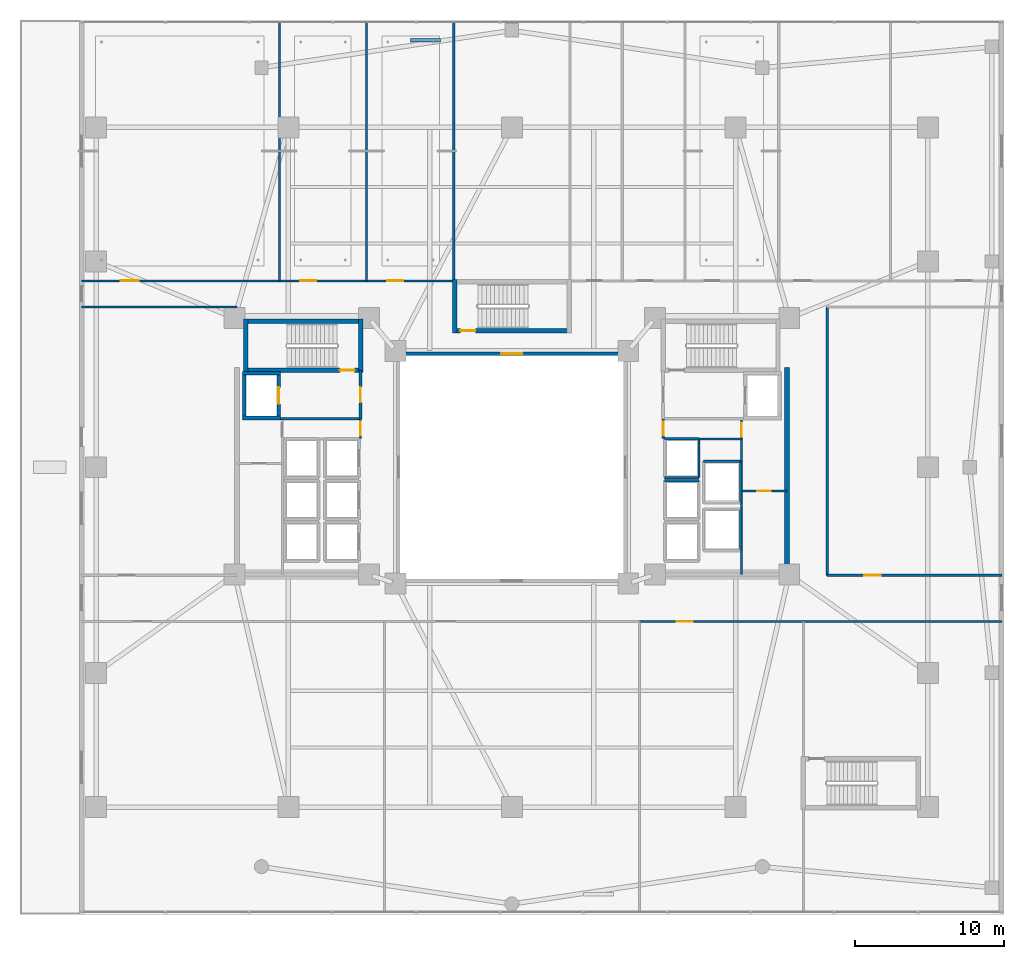
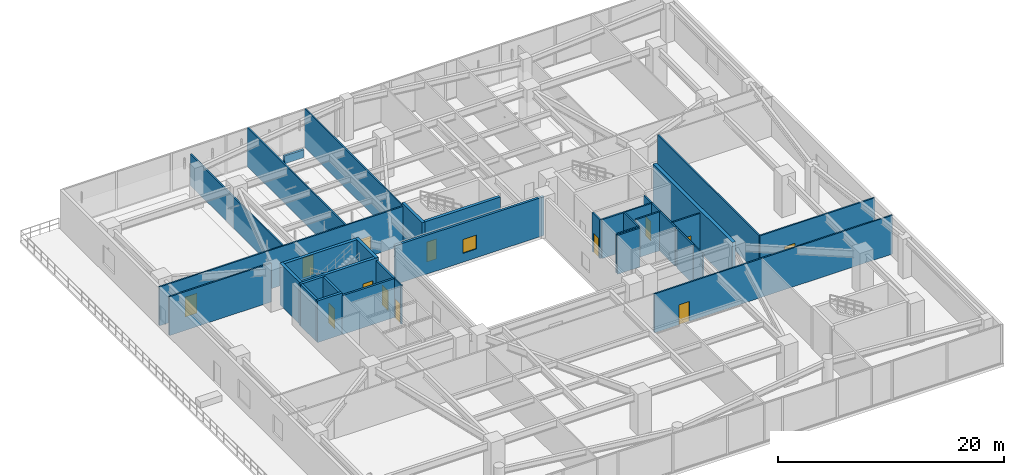
# One storey, part 20 of 29: 35 walls, 13 doors, 1 window, 14 openings.
"""IFC4 building model written with IfcOpenShell, lengths in metres."""

from ifc_helpers import new_model, si_unit, direction, frame, frame_2d, origin, place, context, subcontext, project, spatial, rectangle, extrude, material, layer, layer_set, type_object, element, fill, save


model = new_model("IFC4")

# Units and contexts
model_context = context("Model", 3, precision=1e-05, world=origin(), true_north=direction((0.0, 1.0)))
body_context = subcontext(model_context, "Body", "Model", "MODEL_VIEW")
ifc_project = project(units=[si_unit("LENGTHUNIT", "METRE"), si_unit("AREAUNIT", "SQUARE_METRE"), si_unit("VOLUMEUNIT", "CUBIC_METRE"), si_unit("PLANEANGLEUNIT", "RADIAN"), si_unit("MASSUNIT", "GRAM", prefix="KILO")], contexts=[model_context])

# Site, building, storey
site_placement = place(None, origin())
site = spatial("IfcSite", under=ifc_project, at=site_placement, CompositionType="ELEMENT")
building_placement = place(site_placement, origin())
building = spatial("IfcBuilding", under=site, at=building_placement, Name="Tarnavaz Court Tower", CompositionType="ELEMENT")
storey_placement = place(building_placement, frame((0.0, 0.0, 5.39990234375)))
storey = spatial("IfcBuildingStorey", under=building, at=storey_placement, Name="L01", CompositionType="ELEMENT", Elevation=5.39990234375)

# Wall
ifc_material_1 = material(Name="Concrete C60/75", Category="concrete")
ifc_layer_1 = layer(ifc_material_1, 0.25)
ifc_layer_set_1 = layer_set([ifc_layer_1], Name="Concrete C60/75")
wall_type_1 = type_object("IfcWallType", Name="WL-CORE-250-C60", PredefinedType="SHEAR", material=ifc_layer_set_1)
wall_1_placement = place(storey_placement, frame((-17.949951171875, 3.175048828125, 0.0), z_axis=(0.0, 0.0, 1.0), x_axis=(0.0, 1.0, 0.0)))
element("IfcWall", 1, at=wall_1_placement, inside=storey, type_object=wall_type_1, Name="L01 Lift FL-W1 Shaft Wall 021", PredefinedType="SHEAR", context=body_context, shape_type="SweptSolid", body=[
    extrude(rectangle(XDim=3.25, YDim=0.25, at=frame_2d((1.625, 0.0))), origin(), (0.0, 0.0, 1.0), 4.5),
])

# Wall, opening, door
wall_2_placement = place(storey_placement, frame((-15.64990234375, 3.175048828125, 0.0), z_axis=(0.0, 0.0, 1.0), x_axis=(0.0, 1.0, 0.0)))
wall_2 = element("IfcWall", 2, at=wall_2_placement, inside=storey, type_object=wall_type_1, Name="L01 Lift FL-W1 Shaft Wall 022", PredefinedType="SHEAR", context=body_context, shape_type="SweptSolid", body=[
    extrude(rectangle(XDim=3.25, YDim=0.25, at=frame_2d((1.625, 0.0))), origin(), (0.0, 0.0, 1.0), 4.5),
])
opening_1_placement = place(wall_2_placement, frame((1.074951171875, 0.0, 0.0)))
opening_1 = element("IfcOpeningElement", 3, at=opening_1_placement, cuts=wall_2, Name="Opening LD1", PredefinedType="OPENING", context=body_context, shape_type="SweptSolid", body=[
    extrude(rectangle(XDim=1.10009765625, YDim=2.14990234375, at=frame_2d((0.550048828125, 1.074951171875))), frame((0.0, 0.135009765625, 0.0), z_axis=(0.0, -1.0, 0.0), x_axis=(1.0, 0.0, 0.0)), (0.0, 0.0, 1.0), 0.27001953125),
])
ifc_material_2 = material(Name="Stainless Steel", Category="steel")
door_type_1 = type_object("IfcDoorType", Name="DR-LD-1100", OperationType="NOTDEFINED", PredefinedType="DOOR", material=ifc_material_2)
door_1_placement = place(opening_1_placement, origin())
door_1 = element("IfcDoor", 4, at=door_1_placement, inside=storey, type_object=door_type_1, Name="L01 Lift Landing Door LD-FL-W1", OperationType="SLIDING_TO_LEFT", OverallHeight=2.14990234375, OverallWidth=1.10009765625, PredefinedType="DOOR", context=body_context, shape_type="SweptSolid", body=[
    extrude(rectangle(XDim=1.10009765625, YDim=2.14990234375, at=frame_2d((0.550048828125, 1.074951171875))), frame((0.0, 0.02490234375, 0.0), z_axis=(0.0, -1.0, 0.0), x_axis=(1.0, 0.0, 0.0)), (0.0, 0.0, 1.0), 0.050048828125),
])
fill(opening_1, door_1)

# Walls
for number, where, z_axis, x_axis, name in (
    (5, (-18.074951171875, 3.300048828125, 0.0), (0.0, 0.0, 1.0), (1.0, 0.0, 0.0), "L01 Lift FL-W1 Shaft Wall 023"),
    (6, (-18.074951171875, 6.300048828125, 0.0), (0.0, 0.0, 1.0), (1.0, 0.0, 0.0), "L01 Lift FL-W1 Shaft Wall 024"),
):
    element("IfcWall", number, at=place(storey_placement, frame(where, z_axis=z_axis, x_axis=x_axis)), inside=storey, type_object=wall_type_1, Name=name, PredefinedType="SHEAR", context=body_context, shape_type="SweptSolid", body=[
        extrude(rectangle(XDim=2.550048828125, YDim=0.25, at=frame_2d((1.27490234375, 0.0))), origin(), (0.0, 0.0, 1.0), 4.5),
    ])
ifc_layer_2 = layer(ifc_material_1, 0.300048828125)
ifc_layer_set_2 = layer_set([ifc_layer_2], Name="Concrete C60/75")
wall_type_2 = type_object("IfcWallType", Name="WL-CORE-300-C60", PredefinedType="SHEAR", material=ifc_layer_set_2)
wall_3_placement = place(storey_placement, frame((-18.0, 9.7900390625, 0.0), z_axis=(0.0, 0.0, 1.0), x_axis=(1.0, 0.0, 0.0)))
element("IfcWall", 7, at=wall_3_placement, inside=storey, type_object=wall_type_2, Name="L01 West Stair Core Wall 001", PredefinedType="SHEAR", context=body_context, shape_type="SweptSolid", body=[
    extrude(rectangle(XDim=8.0, YDim=0.300048828125, at=frame_2d((4.0, 0.0))), origin(), (0.0, 0.0, 1.0), 4.5),
])

# Wall, opening, door
wall_4_placement = place(storey_placement, frame((-18.0, 6.5, 0.0), z_axis=(0.0, 0.0, 1.0), x_axis=(1.0, 0.0, 0.0)))
wall_4 = element("IfcWall", 8, at=wall_4_placement, inside=storey, type_object=wall_type_2, Name="L01 West Stair Core Wall 002", PredefinedType="SHEAR", context=body_context, shape_type="SweptSolid", body=[
    extrude(rectangle(XDim=8.0, YDim=0.300048828125, at=frame_2d((4.0, 0.0))), origin(), (0.0, 0.0, 1.0), 4.5),
])
opening_2_placement = place(wall_4_placement, frame((6.449951171875, 0.0, 0.0)))
opening_2 = element("IfcOpeningElement", 9, at=opening_2_placement, cuts=wall_4, Name="Opening D01", PredefinedType="OPENING", context=body_context, shape_type="SweptSolid", body=[
    extrude(rectangle(XDim=1.0, YDim=2.14990234375, at=frame_2d((0.5, 1.074951171875))), frame((0.0, 0.159912109375, 0.0), z_axis=(0.0, -1.0, 0.0), x_axis=(1.0, 0.0, 0.0)), (0.0, 0.0, 1.0), 0.320068359375),
])
ifc_material_3 = material(Name="Fire-Rated Hardwood Timber Core", Category="wood")
door_type_2 = type_object("IfcDoorType", Name="DR-FD90-1000", OperationType="NOTDEFINED", PredefinedType="DOOR", material=ifc_material_3)
door_2_placement = place(opening_2_placement, origin())
door_2 = element("IfcDoor", 10, at=door_2_placement, inside=storey, type_object=door_type_2, Name="L01 Stair ST-W1 Exit Door", OperationType="SINGLE_SWING_LEFT", OverallHeight=2.14990234375, OverallWidth=1.0, PredefinedType="DOOR", context=body_context, shape_type="SweptSolid", body=[
    extrude(rectangle(XDim=1.0, YDim=2.14990234375, at=frame_2d((0.5, 1.074951171875))), frame((0.0, 0.02490234375, 0.0), z_axis=(0.0, -1.0, 0.0), x_axis=(1.0, 0.0, 0.0)), (0.0, 0.0, 1.0), 0.050048828125),
])
fill(opening_2, door_2)

# Walls
for number, where, z_axis, x_axis, name in (
    (11, (-17.85009765625, 6.35009765625, 0.0), (0.0, 0.0, 1.0), (0.0, 1.0, 0.0), "L01 West Stair Core Wall 003"),
    (12, (-10.14990234375, 6.35009765625, 0.0), (0.0, 0.0, 1.0), (0.0, 1.0, 0.0), "L01 West Stair Core Wall 004"),
):
    element("IfcWall", number, at=place(storey_placement, frame(where, z_axis=z_axis, x_axis=x_axis)), inside=storey, type_object=wall_type_2, Name=name, PredefinedType="SHEAR", context=body_context, shape_type="SweptSolid", body=[
        extrude(rectangle(XDim=3.58984375, YDim=0.300048828125, at=frame_2d((1.794921875, 0.0))), origin(), (0.0, 0.0, 1.0), 4.5),
    ])

# Wall, opening, door
wall_5_placement = place(storey_placement, frame((-4.0, 9.14990234375, 0.0), z_axis=(0.0, 0.0, 1.0), x_axis=(1.0, 0.0, 0.0)))
wall_5 = element("IfcWall", 13, at=wall_5_placement, inside=storey, type_object=wall_type_2, Name="L01 North Stair Core Wall 010", PredefinedType="SHEAR", context=body_context, shape_type="SweptSolid", body=[
    extrude(rectangle(XDim=8.0, YDim=0.300048828125, at=frame_2d((4.0, 0.0))), origin(), (0.0, 0.0, 1.0), 4.5),
])
opening_3_placement = place(wall_5_placement, frame((0.550048828125, 0.0, 0.0)))
opening_3 = element("IfcOpeningElement", 14, at=opening_3_placement, cuts=wall_5, Name="Opening D01", PredefinedType="OPENING", context=body_context, shape_type="SweptSolid", body=[
    extrude(rectangle(XDim=1.0, YDim=2.14990234375, at=frame_2d((0.5, 1.074951171875))), frame((0.0, 0.159912109375, 0.0), z_axis=(0.0, -1.0, 0.0), x_axis=(1.0, 0.0, 0.0)), (0.0, 0.0, 1.0), 0.320068359375),
])
door_3_placement = place(opening_3_placement, origin())
door_3 = element("IfcDoor", 15, at=door_3_placement, inside=storey, type_object=door_type_2, Name="L01 Stair ST-N1 Exit Door", OperationType="SINGLE_SWING_LEFT", OverallHeight=2.14990234375, OverallWidth=1.0, PredefinedType="DOOR", context=body_context, shape_type="SweptSolid", body=[
    extrude(rectangle(XDim=1.0, YDim=2.14990234375, at=frame_2d((0.5, 1.074951171875))), frame((0.0, 0.02490234375, 0.0), z_axis=(0.0, -1.0, 0.0), x_axis=(1.0, 0.0, 0.0)), (0.0, 0.0, 1.0), 0.050048828125),
])
fill(opening_3, door_3)

# Walls
wall_6_placement = place(storey_placement, frame((-3.85009765625, 9.0, 0.0), z_axis=(0.0, 0.0, 1.0), x_axis=(0.0, 1.0, 0.0)))
element("IfcWall", 16, at=wall_6_placement, inside=storey, type_object=wall_type_2, Name="L01 North Stair Core Wall 011", PredefinedType="SHEAR", context=body_context, shape_type="SweptSolid", body=[
    extrude(rectangle(XDim=3.590087890625, YDim=0.300048828125, at=frame_2d((1.794921875, 0.0))), origin(), (0.0, 0.0, 1.0), 4.5),
])
ifc_layer_3 = layer(ifc_material_1, 0.35009765625)
ifc_layer_set_3 = layer_set([ifc_layer_3], Name="Concrete C60/75")
wall_type_3 = type_object("IfcWallType", Name="WL-CORE-350-C60", PredefinedType="SHEAR", material=ifc_layer_set_3)
wall_7_placement = place(storey_placement, frame((18.449951171875, -7.375, 0.0), z_axis=(0.0, 0.0, 1.0), x_axis=(0.0, 1.0, 0.0)))
element("IfcWall", 17, at=wall_7_placement, inside=storey, type_object=wall_type_3, Name="L01 East Core Shear Wall 075", PredefinedType="SHEAR", context=body_context, shape_type="SweptSolid", body=[
    extrude(rectangle(XDim=14.050048828125, YDim=0.35009765625, at=frame_2d((7.02490234375, 0.0))), origin(), (0.0, 0.0, 1.0), 4.5),
])

# Wall, openings, doors
ifc_material_4 = material(Name="Gypsum Fire-Board on Acoustic Metal Stud", Category="masonry")
ifc_layer_4 = layer(ifc_material_4, 0.14990234375)
ifc_layer_set_4 = layer_set([ifc_layer_4], Name="Gypsum Fire-Board on Acoustic Metal Stud")
wall_type_4 = type_object("IfcWallType", Name="WL-FIRE-150", PredefinedType="PARTITIONING", material=ifc_layer_set_4)
wall_8_placement = place(storey_placement, frame((-28.8798828125, 12.5, 0.0), z_axis=(0.0, 0.0, 1.0), x_axis=(1.0, 0.0, 0.0)))
wall_8 = element("IfcWall", 18, at=wall_8_placement, inside=storey, type_object=wall_type_4, Name="L01 NW Wing Corridor Wall 085", PredefinedType="PARTITIONING", context=body_context, shape_type="SweptSolid", body=[
    extrude(rectangle(XDim=25.02978515625, YDim=0.14990234375, at=frame_2d((12.514892578125, 0.0))), origin(), (0.0, 0.0, 1.0), 4.2001953125),
])
opening_4_placement = place(wall_8_placement, frame((2.64990234375, 0.0, 0.0)))
opening_4 = element("IfcOpeningElement", 19, at=opening_4_placement, cuts=wall_8, Name="Opening D11", PredefinedType="OPENING", context=body_context, shape_type="SweptSolid", body=[
    extrude(rectangle(XDim=1.199951171875, YDim=2.14990234375, at=frame_2d((0.60009765625, 1.074951171875))), frame((0.0, 0.0849609375, 0.0), z_axis=(0.0, -1.0, 0.0), x_axis=(1.0, 0.0, 0.0)), (0.0, 0.0, 1.0), 0.169921875),
])
opening_5_placement = place(wall_8_placement, frame((14.679931640625, 0.0, 0.0)))
opening_5 = element("IfcOpeningElement", 20, at=opening_5_placement, cuts=wall_8, Name="Opening D12", PredefinedType="OPENING", context=body_context, shape_type="SweptSolid", body=[
    extrude(rectangle(XDim=1.080078125, YDim=2.14990234375, at=frame_2d((0.5400390625, 1.074951171875))), frame((0.0, 0.0849609375, 0.0), z_axis=(0.0, -1.0, 0.0), x_axis=(1.0, 0.0, 0.0)), (0.0, 0.0, 1.0), 0.169921875),
])
opening_6_placement = place(wall_8_placement, frame((20.52001953125, 0.0, 0.0)))
opening_6 = element("IfcOpeningElement", 21, at=opening_6_placement, cuts=wall_8, Name="Opening D12", PredefinedType="OPENING", context=body_context, shape_type="SweptSolid", body=[
    extrude(rectangle(XDim=1.080078125, YDim=2.14990234375, at=frame_2d((0.5400390625, 1.074951171875))), frame((0.0, 0.0849609375, 0.0), z_axis=(0.0, -1.0, 0.0), x_axis=(1.0, 0.0, 0.0)), (0.0, 0.0, 1.0), 0.169921875),
])
ifc_material_5 = material(Name="Engineered Oak Timber", Category="wood")
door_type_3 = type_object("IfcDoorType", Name="DR-INT-1100", OperationType="NOTDEFINED", PredefinedType="DOOR", material=ifc_material_5)
door_4_placement = place(opening_5_placement, origin())
door_4 = element("IfcDoor", 22, at=door_4_placement, inside=storey, type_object=door_type_3, Name="L01 General Practice Examination Suite Door", OperationType="SINGLE_SWING_LEFT", OverallHeight=2.14990234375, OverallWidth=1.080078125, PredefinedType="DOOR", context=body_context, shape_type="SweptSolid", body=[
    extrude(rectangle(XDim=1.080078125, YDim=2.14990234375, at=frame_2d((0.5400390625, 1.074951171875))), frame((0.0, 0.02490234375, 0.0), z_axis=(0.0, -1.0, 0.0), x_axis=(1.0, 0.0, 0.0)), (0.0, 0.0, 1.0), 0.050048828125),
])
fill(opening_5, door_4)
door_5_placement = place(opening_6_placement, origin())
door_5 = element("IfcDoor", 23, at=door_5_placement, inside=storey, type_object=door_type_3, Name="L01 North Consultation Door", OperationType="SINGLE_SWING_RIGHT", OverallHeight=2.14990234375, OverallWidth=1.080078125, PredefinedType="DOOR", context=body_context, shape_type="SweptSolid", body=[
    extrude(rectangle(XDim=1.080078125, YDim=2.14990234375, at=frame_2d((0.5400390625, 1.074951171875))), frame((0.0, 0.02490234375, 0.0), z_axis=(0.0, -1.0, 0.0), x_axis=(1.0, 0.0, 0.0)), (0.0, 0.0, 1.0), 0.050048828125),
])
fill(opening_6, door_5)
door_type_4 = type_object("IfcDoorType", Name="DR-INT-1200", OperationType="NOTDEFINED", PredefinedType="DOOR", material=ifc_material_5)
door_6_placement = place(opening_4_placement, origin())
door_6 = element("IfcDoor", 24, at=door_6_placement, inside=storey, type_object=door_type_4, Name="L01 Outpatient Clinical Waiting Lounge West Door", OperationType="SINGLE_SWING_RIGHT", OverallHeight=2.14990234375, OverallWidth=1.199951171875, PredefinedType="DOOR", context=body_context, shape_type="SweptSolid", body=[
    extrude(rectangle(XDim=1.199951171875, YDim=2.14990234375, at=frame_2d((0.60009765625, 1.074951171875))), frame((0.0, 0.02490234375, 0.0), z_axis=(0.0, -1.0, 0.0), x_axis=(1.0, 0.0, 0.0)), (0.0, 0.0, 1.0), 0.050048828125),
])
fill(opening_4, door_6)

# Wall
wall_9_placement = place(storey_placement, frame((21.14990234375, -7.25, 0.0), z_axis=(0.0, 0.0, 1.0), x_axis=(0.0, 1.0, 0.0)))
element("IfcWall", 25, at=wall_9_placement, inside=storey, type_object=wall_type_4, Name="L01 East Outer Link Wall 087", PredefinedType="PARTITIONING", context=body_context, shape_type="SweptSolid", body=[
    extrude(rectangle(XDim=18.0, YDim=0.14990234375, at=frame_2d((9.0, 0.0))), origin(), (0.0, 0.0, 1.0), 4.2001953125),
])

# Wall, opening, door
wall_10_placement = place(storey_placement, frame((8.550048828125, -10.35009765625, 0.0), z_axis=(0.0, 0.0, 1.0), x_axis=(1.0, 0.0, 0.0)))
wall_10 = element("IfcWall", 26, at=wall_10_placement, inside=storey, type_object=wall_type_4, Name="L01 SE Corridor Wall 090", PredefinedType="PARTITIONING", context=body_context, shape_type="SweptSolid", body=[
    extrude(rectangle(XDim=24.329833984375, YDim=0.14990234375, at=frame_2d((12.1650390625, 0.0))), origin(), (0.0, 0.0, 1.0), 4.2001953125),
])
opening_7_placement = place(wall_10_placement, frame((2.5, 0.0, 0.0)))
opening_7 = element("IfcOpeningElement", 27, at=opening_7_placement, cuts=wall_10, Name="Opening D12", PredefinedType="OPENING", context=body_context, shape_type="SweptSolid", body=[
    extrude(rectangle(XDim=1.080078125, YDim=2.14990234375, at=frame_2d((0.5400390625, 1.074951171875))), frame((0.0, 0.0849609375, 0.0), z_axis=(0.0, -1.0, 0.0), x_axis=(1.0, 0.0, 0.0)), (0.0, 0.0, 1.0), 0.169921875),
])
door_7_placement = place(opening_7_placement, origin())
door_7 = element("IfcDoor", 28, at=door_7_placement, inside=storey, type_object=door_type_3, Name="L01 South-East Treatment Door", OperationType="SINGLE_SWING_RIGHT", OverallHeight=2.14990234375, OverallWidth=1.080078125, PredefinedType="DOOR", context=body_context, shape_type="SweptSolid", body=[
    extrude(rectangle(XDim=1.080078125, YDim=2.14990234375, at=frame_2d((0.5400390625, 1.074951171875))), frame((0.0, 0.02490234375, 0.0), z_axis=(0.0, -1.0, 0.0), x_axis=(1.0, 0.0, 0.0)), (0.0, 0.0, 1.0), 0.050048828125),
])
fill(opening_7, door_7)

# Wall
wall_11_placement = place(storey_placement, frame((-28.8798828125, 10.75, 0.0), z_axis=(0.0, 0.0, 1.0), x_axis=(1.0, 0.0, 0.0)))
element("IfcWall", 29, at=wall_11_placement, inside=storey, type_object=wall_type_4, Name="L01 Interior Partition 104", PredefinedType="PARTITIONING", context=body_context, shape_type="SweptSolid", body=[
    extrude(rectangle(XDim=10.429931640625, YDim=0.14990234375, at=frame_2d((5.21484375, 0.0))), origin(), (0.0, 0.0, 1.0), 4.2001953125),
])

# Wall, opening, door
wall_12_placement = place(storey_placement, frame((21.14990234375, -7.25, 0.0), z_axis=(0.0, 0.0, 1.0), x_axis=(1.0, 0.0, 0.0)))
wall_12 = element("IfcWall", 30, at=wall_12_placement, inside=storey, type_object=wall_type_4, Name="L01 Interior Partition 105", PredefinedType="PARTITIONING", context=body_context, shape_type="SweptSolid", body=[
    extrude(rectangle(XDim=11.72998046875, YDim=0.14990234375, at=frame_2d((5.864990234375, 0.0))), origin(), (0.0, 0.0, 1.0), 4.2001953125),
])
opening_8_placement = place(wall_12_placement, frame((2.5, 0.0, 0.0)))
opening_8 = element("IfcOpeningElement", 31, at=opening_8_placement, cuts=wall_12, Name="Opening D12", PredefinedType="OPENING", context=body_context, shape_type="SweptSolid", body=[
    extrude(rectangle(XDim=1.080078125, YDim=2.14990234375, at=frame_2d((0.5400390625, 1.074951171875))), frame((0.0, 0.0849609375, 0.0), z_axis=(0.0, -1.0, 0.0), x_axis=(1.0, 0.0, 0.0)), (0.0, 0.0, 1.0), 0.169921875),
])
door_8_placement = place(opening_8_placement, origin())
door_8 = element("IfcDoor", 32, at=door_8_placement, inside=storey, type_object=door_type_3, Name="L01 East Clinical Lounge Door", OperationType="SINGLE_SWING_RIGHT", OverallHeight=2.14990234375, OverallWidth=1.080078125, PredefinedType="DOOR", context=body_context, shape_type="SweptSolid", body=[
    extrude(rectangle(XDim=1.080078125, YDim=2.14990234375, at=frame_2d((0.5400390625, 1.074951171875))), frame((0.0, 0.02490234375, 0.0), z_axis=(0.0, -1.0, 0.0), x_axis=(1.0, 0.0, 0.0)), (0.0, 0.0, 1.0), 0.050048828125),
])
fill(opening_8, door_8)

# Wall
ifc_material_6 = material(Name="Autoclaved Aerated Concrete Blockwork", Category="masonry")
ifc_layer_5 = layer(ifc_material_6, 0.199951171875)
ifc_layer_set_5 = layer_set([ifc_layer_5], Name="Autoclaved Aerated Concrete Blockwork")
wall_type_5 = type_object("IfcWallType", Name="WL-FIRE-200", PredefinedType="SOLIDWALL", material=ifc_layer_set_5)
wall_13_placement = place(storey_placement, frame((-15.550048828125, 3.25, 0.0), z_axis=(0.0, 0.0, 1.0), x_axis=(1.0, 0.0, 0.0)))
element("IfcWall", 33, at=wall_13_placement, inside=storey, type_object=wall_type_5, Name="L01 West Firefighting Lobby Wall 017", PredefinedType="SOLIDWALL", context=body_context, shape_type="SweptSolid", body=[
    extrude(rectangle(XDim=5.400146484375, YDim=0.199951171875, at=frame_2d((2.7001953125, 0.0))), origin(), (0.0, 0.0, 1.0), 4.2001953125),
])

# Wall, opening, door
wall_14_placement = place(storey_placement, frame((-10.14990234375, 3.25, 0.0), z_axis=(0.0, 0.0, 1.0), x_axis=(0.0, 1.0, 0.0)))
wall_14 = element("IfcWall", 34, at=wall_14_placement, inside=storey, type_object=wall_type_5, Name="L01 West Firefighting Lobby Wall 018", PredefinedType="SOLIDWALL", context=body_context, shape_type="SweptSolid", body=[
    extrude(rectangle(XDim=3.25, YDim=0.199951171875, at=frame_2d((1.625, 0.0))), origin(), (0.0, 0.0, 1.0), 4.2001953125),
])
opening_9_placement = place(wall_14_placement, frame((1.10009765625, 0.0, 0.0)))
opening_9 = element("IfcOpeningElement", 35, at=opening_9_placement, cuts=wall_14, Name="Opening D05", PredefinedType="OPENING", context=body_context, shape_type="SweptSolid", body=[
    extrude(rectangle(XDim=1.02001953125, YDim=2.14990234375, at=frame_2d((0.510009765625, 1.074951171875))), frame((0.0, 0.10986328125, 0.0), z_axis=(0.0, -1.0, 0.0), x_axis=(1.0, 0.0, 0.0)), (0.0, 0.0, 1.0), 0.219970703125),
])
door_type_5 = type_object("IfcDoorType", Name="DR-FD60-1000", OperationType="NOTDEFINED", PredefinedType="DOOR", material=ifc_material_3)
door_9_placement = place(opening_9_placement, origin())
door_9 = element("IfcDoor", 36, at=door_9_placement, inside=storey, type_object=door_type_5, Name="L01 West Firefighting Lobby Door", OperationType="SINGLE_SWING_RIGHT", OverallHeight=2.14990234375, OverallWidth=1.02001953125, PredefinedType="DOOR", context=body_context, shape_type="SweptSolid", body=[
    extrude(rectangle(XDim=1.02001953125, YDim=2.14990234375, at=frame_2d((0.510009765625, 1.074951171875))), frame((0.0, 0.02490234375, 0.0), z_axis=(0.0, -1.0, 0.0), x_axis=(1.0, 0.0, 0.0)), (0.0, 0.0, 1.0), 0.050048828125),
])
fill(opening_9, door_9)

# Wall
ifc_material_7 = material(Name="Precast Concrete C40/50", Category="concrete")
ifc_layer_6 = layer(ifc_material_7, 0.219970703125)
ifc_layer_set_6 = layer_set([ifc_layer_6], Name="Precast Concrete C40/50")
wall_type_6 = type_object("IfcWallType", Name="WL-PARAPET-220", PredefinedType="PARAPET", material=ifc_layer_set_6)
wall_15_placement = place(storey_placement, frame((-6.800048828125, 28.64990234375, 0.0), z_axis=(0.0, 0.0, 1.0), x_axis=(1.0, 0.0, 0.0)))
element("IfcWall", 37, at=wall_15_placement, inside=storey, type_object=wall_type_6, Name="L01 North Prow Terracotta Parapet Upstand", PredefinedType="PARAPET", context=body_context, shape_type="SweptSolid", body=[
    extrude(rectangle(XDim=2.0, YDim=0.219970703125, at=frame_2d((1.0, 0.0))), origin(), (0.0, 0.0, 1.0), 0.85009765625),
])

# Wall, opening, door
ifc_material_8 = material(Name="Gypsum Plasterboard Acoustic Partition", Category="masonry")
ifc_layer_7 = layer(ifc_material_8, 0.139892578125)
ifc_layer_set_7 = layer_set([ifc_layer_7], Name="Gypsum Plasterboard Acoustic Partition")
wall_type_7 = type_object("IfcWallType", Name="WL-PART-150", PredefinedType="PARTITIONING", material=ifc_layer_set_7)
wall_16_placement = place(storey_placement, frame((-10.14990234375, 1.919921875, 0.0), z_axis=(0.0, 0.0, 1.0), x_axis=(0.0, 1.0, 0.0)))
wall_16 = element("IfcWall", 38, at=wall_16_placement, inside=storey, type_object=wall_type_7, Name="L01 Interior Partition 078", PredefinedType="PARTITIONING", context=body_context, shape_type="SweptSolid", body=[
    extrude(rectangle(XDim=1.330078125, YDim=0.139892578125, at=frame_2d((0.6650390625, 0.0))), origin(), (0.0, 0.0, 1.0), 4.2001953125),
])
opening_10_placement = place(wall_16_placement, frame((0.219970703125, 0.0, 0.0)))
opening_10 = element("IfcOpeningElement", 39, at=opening_10_placement, cuts=wall_16, Name="Opening D09", PredefinedType="OPENING", context=body_context, shape_type="SweptSolid", body=[
    extrude(rectangle(XDim=0.89990234375, YDim=2.080078125, at=frame_2d((0.449951171875, 1.0400390625))), frame((0.0, 0.079833984375, 0.0), z_axis=(0.0, -1.0, 0.0), x_axis=(1.0, 0.0, 0.0)), (0.0, 0.0, 1.0), 0.159912109375),
])
door_type_6 = type_object("IfcDoorType", Name="DR-FD30-900", OperationType="NOTDEFINED", PredefinedType="DOOR", material=ifc_material_3)
door_10_placement = place(opening_10_placement, origin())
door_10 = element("IfcDoor", 40, at=door_10_placement, inside=storey, type_object=door_type_6, Name="L01 West Core Service Lobby Door", OperationType="SINGLE_SWING_RIGHT", OverallHeight=2.080078125, OverallWidth=0.89990234375, PredefinedType="DOOR", context=body_context, shape_type="SweptSolid", body=[
    extrude(rectangle(XDim=0.89990234375, YDim=2.080078125, at=frame_2d((0.449951171875, 1.0400390625))), frame((0.0, 0.02490234375, 0.0), z_axis=(0.0, -1.0, 0.0), x_axis=(1.0, 0.0, 0.0)), (0.0, 0.0, 1.0), 0.050048828125),
])
fill(opening_10, door_10)

# Wall
wall_17_placement = place(storey_placement, frame((12.550048828125, 1.89990234375, 0.0), z_axis=(0.0, 0.0, 1.0), x_axis=(1.0, 0.0, 0.0)))
element("IfcWall", 41, at=wall_17_placement, inside=storey, type_object=wall_type_7, Name="L01 Interior Partition 081", PredefinedType="PARTITIONING", context=body_context, shape_type="SweptSolid", body=[
    extrude(rectangle(XDim=2.849853515625, YDim=0.139892578125, at=frame_2d((1.4248046875, 0.0))), origin(), (0.0, 0.0, 1.0), 4.2001953125),
])

# Wall, opening, door
wall_18_placement = place(storey_placement, frame((10.14990234375, 1.919921875, 0.0), z_axis=(0.0, 0.0, 1.0), x_axis=(0.0, 1.0, 0.0)))
wall_18 = element("IfcWall", 42, at=wall_18_placement, inside=storey, type_object=wall_type_7, Name="L01 Interior Partition 082", PredefinedType="PARTITIONING", context=body_context, shape_type="SweptSolid", body=[
    extrude(rectangle(XDim=1.330078125, YDim=0.139892578125, at=frame_2d((0.6650390625, 0.0))), origin(), (0.0, 0.0, 1.0), 4.2001953125),
])
opening_11_placement = place(wall_18_placement, frame((0.219970703125, 0.0, 0.0)))
opening_11 = element("IfcOpeningElement", 43, at=opening_11_placement, cuts=wall_18, Name="Opening D09", PredefinedType="OPENING", context=body_context, shape_type="SweptSolid", body=[
    extrude(rectangle(XDim=0.89990234375, YDim=2.080078125, at=frame_2d((0.449951171875, 1.0400390625))), frame((0.0, 0.079833984375, 0.0), z_axis=(0.0, -1.0, 0.0), x_axis=(1.0, 0.0, 0.0)), (0.0, 0.0, 1.0), 0.159912109375),
])
door_11_placement = place(opening_11_placement, origin())
door_11 = element("IfcDoor", 44, at=door_11_placement, inside=storey, type_object=door_type_6, Name="L01 East Core Service Lobby Door", OperationType="SINGLE_SWING_LEFT", OverallHeight=2.080078125, OverallWidth=0.89990234375, PredefinedType="DOOR", context=body_context, shape_type="SweptSolid", body=[
    extrude(rectangle(XDim=0.89990234375, YDim=2.080078125, at=frame_2d((0.449951171875, 1.0400390625))), frame((0.0, 0.02490234375, 0.0), z_axis=(0.0, -1.0, 0.0), x_axis=(1.0, 0.0, 0.0)), (0.0, 0.0, 1.0), 0.050048828125),
])
fill(opening_11, door_11)

wall_19_placement = place(storey_placement, frame((15.39990234375, -7.199951171875, 0.0), z_axis=(0.0, 0.0, 1.0), x_axis=(0.0, 1.0, 0.0)))
wall_19 = element("IfcWall", 45, at=wall_19_placement, inside=storey, type_object=wall_type_7, Name="L01 Interior Partition 083", PredefinedType="PARTITIONING", context=body_context, shape_type="SweptSolid", body=[
    extrude(rectangle(XDim=10.449951171875, YDim=0.139892578125, at=frame_2d((5.22509765625, 0.0))), origin(), (0.0, 0.0, 1.0), 4.2001953125),
])
opening_12_placement = place(wall_19_placement, frame((9.25, 0.0, 0.0)))
opening_12 = element("IfcOpeningElement", 46, at=opening_12_placement, cuts=wall_19, Name="Opening D09", PredefinedType="OPENING", context=body_context, shape_type="SweptSolid", body=[
    extrude(rectangle(XDim=0.89990234375, YDim=2.080078125, at=frame_2d((0.449951171875, 1.0400390625))), frame((0.0, 0.079833984375, 0.0), z_axis=(0.0, -1.0, 0.0), x_axis=(1.0, 0.0, 0.0)), (0.0, 0.0, 1.0), 0.159912109375),
])
door_12_placement = place(opening_12_placement, origin())
door_12 = element("IfcDoor", 47, at=door_12_placement, inside=storey, type_object=door_type_6, Name="L01 East Wet Riser Door", OperationType="SINGLE_SWING_RIGHT", OverallHeight=2.080078125, OverallWidth=0.89990234375, PredefinedType="DOOR", context=body_context, shape_type="SweptSolid", body=[
    extrude(rectangle(XDim=0.89990234375, YDim=2.080078125, at=frame_2d((0.449951171875, 1.0400390625))), frame((0.0, 0.02490234375, 0.0), z_axis=(0.0, -1.0, 0.0), x_axis=(1.0, 0.0, 0.0)), (0.0, 0.0, 1.0), 0.050048828125),
])
fill(opening_12, door_12)

wall_20_placement = place(storey_placement, frame((15.39990234375, -1.590087890625, 0.0), z_axis=(0.0, 0.0, 1.0), x_axis=(1.0, 0.0, 0.0)))
wall_20 = element("IfcWall", 48, at=wall_20_placement, inside=storey, type_object=wall_type_7, Name="L01 Interior Partition 084", PredefinedType="PARTITIONING", context=body_context, shape_type="SweptSolid", body=[
    extrude(rectangle(XDim=3.050048828125, YDim=0.139892578125, at=frame_2d((1.52490234375, 0.0))), origin(), (0.0, 0.0, 1.0), 4.2001953125),
])
opening_13_placement = place(wall_20_placement, frame((1.050048828125, 0.0, 0.0)))
opening_13 = element("IfcOpeningElement", 49, at=opening_13_placement, cuts=wall_20, Name="Opening D09", PredefinedType="OPENING", context=body_context, shape_type="SweptSolid", body=[
    extrude(rectangle(XDim=0.89990234375, YDim=2.080078125, at=frame_2d((0.449951171875, 1.0400390625))), frame((0.0, 0.079833984375, 0.0), z_axis=(0.0, -1.0, 0.0), x_axis=(1.0, 0.0, 0.0)), (0.0, 0.0, 1.0), 0.159912109375),
])
door_13_placement = place(opening_13_placement, origin())
door_13 = element("IfcDoor", 50, at=door_13_placement, inside=storey, type_object=door_type_6, Name="L01 East Electrical Plant Door", OperationType="SINGLE_SWING_LEFT", OverallHeight=2.080078125, OverallWidth=0.89990234375, PredefinedType="DOOR", context=body_context, shape_type="SweptSolid", body=[
    extrude(rectangle(XDim=0.89990234375, YDim=2.080078125, at=frame_2d((0.449951171875, 1.0400390625))), frame((0.0, 0.02490234375, 0.0), z_axis=(0.0, -1.0, 0.0), x_axis=(1.0, 0.0, 0.0)), (0.0, 0.0, 1.0), 0.050048828125),
])
fill(opening_13, door_13)

# Walls
wall_21_placement = place(storey_placement, frame((-3.89990234375, 12.5, 0.0), z_axis=(0.0, 0.0, 1.0), x_axis=(0.0, 1.0, 0.0)))
element("IfcWall", 51, at=wall_21_placement, inside=storey, type_object=wall_type_7, Name="L01 Interior Partition 091", PredefinedType="PARTITIONING", context=body_context, shape_type="SweptSolid", body=[
    extrude(rectangle(XDim=17.3798828125, YDim=0.139892578125, at=frame_2d((8.68994140625, 0.0))), origin(), (0.0, 0.0, 1.0), 4.2001953125),
])
wall_22_placement = place(storey_placement, frame((-15.60009765625, 12.5, 0.0), z_axis=(0.0, 0.0, 1.0), x_axis=(0.0, 1.0, 0.0)))
element("IfcWall", 52, at=wall_22_placement, inside=storey, type_object=wall_type_7, Name="L01 Interior Partition 093", PredefinedType="PARTITIONING", context=body_context, shape_type="SweptSolid", body=[
    extrude(rectangle(XDim=17.3798828125, YDim=0.139892578125, at=frame_2d((8.68994140625, 0.0))), origin(), (0.0, 0.0, 1.0), 3.385009765625),
])
wall_23_placement = place(storey_placement, frame((-9.760009765625, 12.5, 0.0), z_axis=(0.0, 0.0, 1.0), x_axis=(0.0, 1.0, 0.0)))
element("IfcWall", 53, at=wall_23_placement, inside=storey, type_object=wall_type_7, Name="L01 Interior Partition 094", PredefinedType="PARTITIONING", context=body_context, shape_type="SweptSolid", body=[
    extrude(rectangle(XDim=17.3798828125, YDim=0.139892578125, at=frame_2d((8.68994140625, 0.0))), origin(), (0.0, 0.0, 1.0), 4.2001953125),
])
ifc_layer_8 = layer(ifc_material_6, 0.159912109375)
ifc_layer_set_8 = layer_set([ifc_layer_8], Name="Autoclaved Aerated Concrete Blockwork")
wall_type_8 = type_object("IfcWallType", Name="WL-SHAFT-150", PredefinedType="SOLIDWALL", material=ifc_layer_set_8)
wall_24_placement = place(storey_placement, frame((10.25, -0.89990234375, 0.0), z_axis=(0.0, 0.0, 1.0), x_axis=(1.0, 0.0, 0.0)))
element("IfcWall", 54, at=wall_24_placement, inside=storey, type_object=wall_type_8, Name="L01 Lift PL-M2 Shaft Wall 060", PredefinedType="SOLIDWALL", context=body_context, shape_type="SweptSolid", body=[
    extrude(rectangle(XDim=2.300048828125, YDim=0.159912109375, at=frame_2d((1.14990234375, 0.0))), origin(), (0.0, 0.0, 1.0), 4.2001953125),
])
wall_25_placement = place(storey_placement, frame((12.550048828125, -0.699951171875, 0.0), z_axis=(0.0, 0.0, 1.0), x_axis=(0.0, 1.0, 0.0)))
element("IfcWall", 55, at=wall_25_placement, inside=storey, type_object=wall_type_8, Name="L01 Lift PL-M3 Shaft Wall 062", PredefinedType="SOLIDWALL", context=body_context, shape_type="SweptSolid", body=[
    extrude(rectangle(XDim=2.599853515625, YDim=0.159912109375, at=frame_2d((1.2998046875, 0.0))), origin(), (0.0, 0.0, 1.0), 4.2001953125),
])
for number, where, z_axis, x_axis, name in (
    (56, (10.25, -0.699951171875, 0.0), (0.0, 0.0, 1.0), (1.0, 0.0, 0.0), "L01 Lift PL-M3 Shaft Wall 063"),
    (57, (10.25, 1.89990234375, 0.0), (0.0, 0.0, 1.0), (1.0, 0.0, 0.0), "L01 Lift PL-M3 Shaft Wall 064"),
):
    element("IfcWall", number, at=place(storey_placement, frame(where, z_axis=z_axis, x_axis=x_axis)), inside=storey, type_object=wall_type_8, Name=name, PredefinedType="SOLIDWALL", context=body_context, shape_type="SweptSolid", body=[
        extrude(rectangle(XDim=2.300048828125, YDim=0.159912109375, at=frame_2d((1.14990234375, 0.0))), origin(), (0.0, 0.0, 1.0), 4.2001953125),
    ])
wall_26_placement = place(storey_placement, frame((15.35009765625, -5.60009765625, 0.0), z_axis=(0.0, 0.0, 1.0), x_axis=(0.0, 1.0, 0.0)))
element("IfcWall", 58, at=wall_26_placement, inside=storey, type_object=wall_type_8, Name="L01 Lift PL-OB1 Shaft Wall 066", PredefinedType="SOLIDWALL", context=body_context, shape_type="SweptSolid", body=[
    extrude(rectangle(XDim=2.800048828125, YDim=0.159912109375, at=frame_2d((1.39990234375, 0.0))), origin(), (0.0, 0.0, 1.0), 4.2001953125),
])
wall_27_placement = place(storey_placement, frame((15.35009765625, -2.39990234375, 0.0), z_axis=(0.0, 0.0, 1.0), x_axis=(0.0, 1.0, 0.0)))
element("IfcWall", 59, at=wall_27_placement, inside=storey, type_object=wall_type_8, Name="L01 Lift PL-OB2 Shaft Wall 070", PredefinedType="SOLIDWALL", context=body_context, shape_type="SweptSolid", body=[
    extrude(rectangle(XDim=2.7998046875, YDim=0.159912109375, at=frame_2d((1.39990234375, 0.0))), origin(), (0.0, 0.0, 1.0), 4.2001953125),
])
wall_28_placement = place(storey_placement, frame((12.85009765625, 0.39990234375, 0.0), z_axis=(0.0, 0.0, 1.0), x_axis=(1.0, 0.0, 0.0)))
element("IfcWall", 60, at=wall_28_placement, inside=storey, type_object=wall_type_8, Name="L01 Lift PL-OB2 Shaft Wall 072", PredefinedType="SOLIDWALL", context=body_context, shape_type="SweptSolid", body=[
    extrude(rectangle(XDim=2.5, YDim=0.159912109375, at=frame_2d((1.25, 0.0))), origin(), (0.0, 0.0, 1.0), 4.2001953125),
])

# Wall, opening, window
ifc_layer_9 = layer(ifc_material_7, 0.239990234375)
ifc_layer_set_9 = layer_set([ifc_layer_9], Name="Precast Concrete C40/50")
wall_type_9 = type_object("IfcWallType", Name="WL-WELL-240", PredefinedType="SOLIDWALL", material=ifc_layer_set_9)
wall_29_placement = place(storey_placement, frame((7.6201171875, 7.6201171875, 0.0), z_axis=(0.0, 0.0, 1.0), x_axis=(-1.0, 0.0, 0.0)))
wall_29 = element("IfcWall", 61, at=wall_29_placement, inside=storey, type_object=wall_type_9, Name="L01 Badgir Light-Well Exterior Wall N", PredefinedType="SOLIDWALL", context=body_context, shape_type="SweptSolid", body=[
    extrude(rectangle(XDim=15.240234375, YDim=0.239990234375, at=frame_2d((7.6201171875, 0.0))), origin(), (0.0, 0.0, 1.0), 4.2001953125),
])
opening_14_placement = place(wall_29_placement, frame((6.919921875, 0.0, 0.949951171875)))
opening_14 = element("IfcOpeningElement", 62, at=opening_14_placement, cuts=wall_29, Name="Opening W13", PredefinedType="OPENING", context=body_context, shape_type="SweptSolid", body=[
    extrude(rectangle(XDim=1.39990234375, YDim=1.5, at=frame_2d((0.699951171875, 0.75))), frame((0.0, 0.1298828125, 0.0), z_axis=(0.0, -1.0, 0.0), x_axis=(1.0, 0.0, 0.0)), (0.0, 0.0, 1.0), 0.260009765625),
])
ifc_material_9 = material(Name="Double-Glazed Solar Low-E Glass", Category="glass")
window_type = type_object("IfcWindowType", Name="WN-WEL-1400", PartitioningType="SINGLE_PANEL", PredefinedType="WINDOW", material=ifc_material_9)
window_placement = place(opening_14_placement, origin())
window = element("IfcWindow", 63, at=window_placement, inside=storey, type_object=window_type, Name="L01 Courtyard Gallery Window N", OverallHeight=1.5, OverallWidth=1.39990234375, PartitioningType="SINGLE_PANEL", PredefinedType="WINDOW", context=body_context, shape_type="SweptSolid", body=[
    extrude(rectangle(XDim=1.39990234375, YDim=1.5, at=frame_2d((0.699951171875, 0.75))), frame((0.0, 0.030029296875, 0.0), z_axis=(0.0, -1.0, 0.0), x_axis=(1.0, 0.0, 0.0)), (0.0, 0.0, 1.0), 0.06005859375),
])
fill(opening_14, window)

save(model, "model.ifc")
